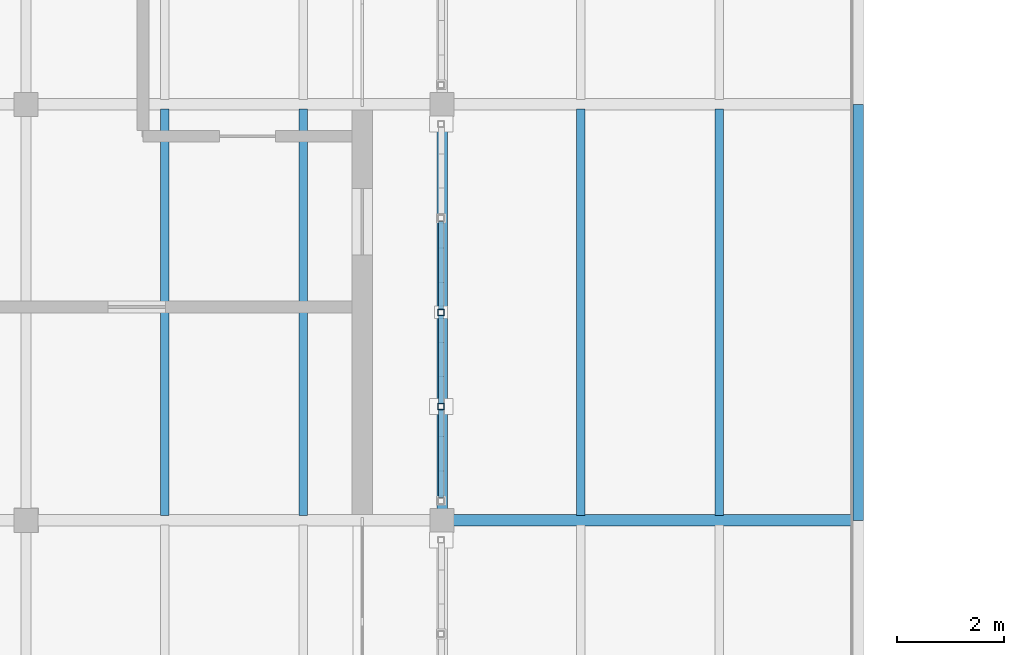
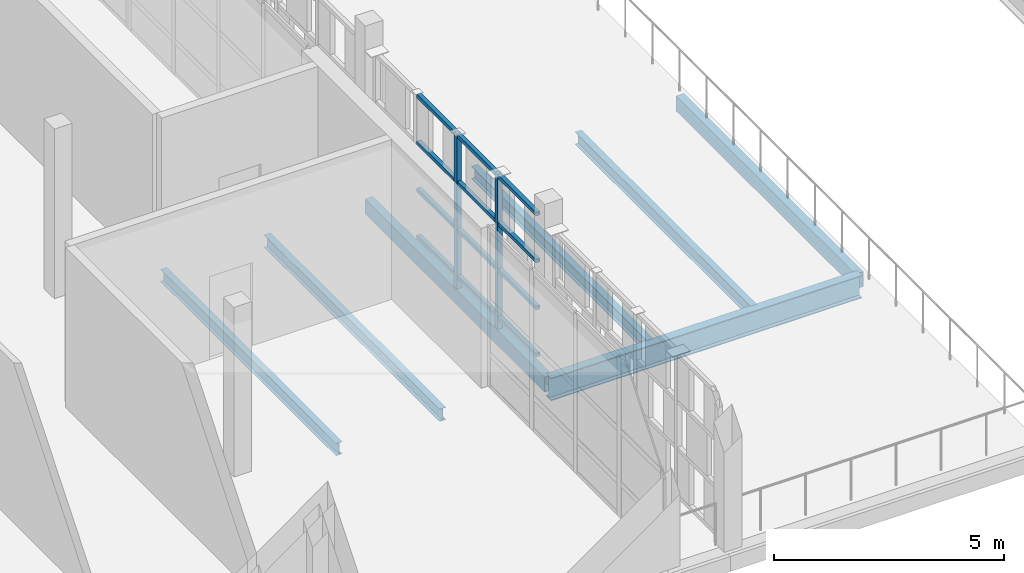
# One storey, part 31 of 119: 14 members, 7 beams.
"""IFC4 building model written with IfcOpenShell, lengths in metres."""

from ifc_helpers import new_model, si_unit, direction, frame, origin, origin_2d, place, context, subcontext, project, spatial, hollow_rectangle, i_section, extrude, material, material_profile, profile_set, type_object, element, save


model = new_model("IFC4")

# Units and contexts
model_context = context("Model", 3, precision=1e-05, world=origin(), true_north=direction((0.0, 1.0)))
body_context = subcontext(model_context, "Body", "Model", "MODEL_VIEW")
ifc_project = project(units=[si_unit("LENGTHUNIT", "METRE"), si_unit("AREAUNIT", "SQUARE_METRE"), si_unit("VOLUMEUNIT", "CUBIC_METRE"), si_unit("PLANEANGLEUNIT", "RADIAN"), si_unit("MASSUNIT", "GRAM", prefix="KILO")], contexts=[model_context])

# Site, building, storey
site_placement = place(None, origin())
site = spatial("IfcSite", under=ifc_project, at=site_placement, CompositionType="ELEMENT")
building_placement = place(site_placement, origin())
building = spatial("IfcBuilding", under=site, at=building_placement, Name="Celorna Specialist Clinic", CompositionType="ELEMENT")
storey_placement = place(building_placement, frame((0.0, 0.0, 9.60009765625)))
storey = spatial("IfcBuildingStorey", under=building, at=storey_placement, Name="L02", CompositionType="ELEMENT", Elevation=9.60009765625)

# Beams
ifc_material = material(Name="Steel S355", Category="steel")
ifc_material_profile_1 = material_profile(ifc_material, i_section(OverallWidth=0.219970703125, OverallDepth=0.60009765625, WebThickness=0.011962890625, FlangeThickness=0.01904296875, at=origin_2d()), Name="IPE 600")
ifc_profile_set_1 = profile_set([ifc_material_profile_1], Name="Steel S355")
beam_type_1 = type_object("IfcBeamType", Name="BM-06", PredefinedType="BEAM", material=ifc_profile_set_1)
beam_placement = place(storey_placement, frame((39.0, 42.89990234375, -0.56005859375), z_axis=(1.0, 0.0, 0.0), x_axis=(0.0, 1.0, 0.0)))
element("IfcBeam", 1, at=beam_placement, inside=storey, type_object=beam_type_1, Name="Primary girder BM-06 #2218", PredefinedType="BEAM", context=body_context, shape_type="SweptSolid", body=[
    extrude(i_section(OverallWidth=0.219970703125, OverallDepth=0.60009765625, WebThickness=0.011962890625, FlangeThickness=0.01904296875, at=origin_2d()), origin(), (0.0, 0.0, 1.0), 7.800048828125),
])
ifc_material_profile_2 = material_profile(ifc_material, i_section(OverallWidth=0.159912109375, OverallDepth=0.330078125, WebThickness=0.007568359375, FlangeThickness=0.011474609375, at=origin_2d()), Name="IPE 330")
ifc_profile_set_2 = profile_set([ifc_material_profile_2], Name="Steel S355")
beam_type_2 = type_object("IfcBeamType", Name="BM-12", PredefinedType="JOIST", material=ifc_profile_set_2)
for number, where, z_axis, x_axis, name in (
    (2, (33.800048828125, 42.988037109375, -0.425048828125), (0.0, 1.0, 0.0), (-1.0, 0.0, 0.0), "Secondary floor joist BM-12 #528"),
    (3, (36.39990234375, 42.988037109375, -0.425048828125), (0.0, 1.0, 0.0), (-1.0, 0.0, 0.0), "Secondary floor joist BM-12 #529"),
    (4, (41.60009765625, 42.988037109375, -0.425048828125), (0.0, 1.0, 0.0), (-1.0, 0.0, 0.0), "Secondary floor joist BM-12 #2228"),
    (5, (44.199951171875, 42.988037109375, -0.425048828125), (0.0, 1.0, 0.0), (-1.0, 0.0, 0.0), "Secondary floor joist BM-12 #2229"),
):
    element("IfcBeam", number, at=place(storey_placement, frame(where, z_axis=z_axis, x_axis=x_axis)), inside=storey, type_object=beam_type_2, Name=name, PredefinedType="JOIST", context=body_context, shape_type="SweptSolid", body=[
        extrude(i_section(OverallWidth=0.159912109375, OverallDepth=0.330078125, WebThickness=0.007568359375, FlangeThickness=0.011474609375, at=origin_2d()), origin(), (0.0, 0.0, 1.0), 7.6240234375),
    ])
ifc_material_profile_3 = material_profile(ifc_material, hollow_rectangle(XDim=0.199951171875, YDim=0.39990234375, WallThickness=0.011962890625, at=origin_2d()), Name="RHS 200x400x12")
ifc_profile_set_3 = profile_set([ifc_material_profile_3], Name="Steel S355")
beam_type_3 = type_object("IfcBeamType", Name="BM-15", PredefinedType="SPANDREL", material=ifc_profile_set_3)
for number, where, z_axis, x_axis, name in (
    (6, (39.0, 42.89990234375, -0.460205078125), (0.0, 1.0, 0.0), (-1.0, 0.0, 0.0), "Spandrel beam BM-15 #499"),
    (7, (46.800048828125, 42.89990234375, -0.460205078125), (0.0, 1.0, 0.0), (-1.0, 0.0, 0.0), "Spandrel beam BM-15 #2223"),
):
    element("IfcBeam", number, at=place(storey_placement, frame(where, z_axis=z_axis, x_axis=x_axis)), inside=storey, type_object=beam_type_3, Name=name, PredefinedType="SPANDREL", context=body_context, shape_type="SweptSolid", body=[
        extrude(hollow_rectangle(XDim=0.199951171875, YDim=0.39990234375, WallThickness=0.011962890625, at=origin_2d()), origin(), (0.0, 0.0, 1.0), 7.800048828125),
    ])

# Members
ifc_material_profile_4 = material_profile(ifc_material, hollow_rectangle(XDim=0.1201171875, YDim=0.1201171875, WallThickness=0.008056640625, at=origin_2d()), Name="SHS 120x120x8")
ifc_profile_set_4 = profile_set([ifc_material_profile_4], Name="Steel S355")
member_type_1 = type_object("IfcMemberType", Name="MB-11", PredefinedType="STUD", material=ifc_profile_set_4)
for number, where, z_axis, x_axis, name in (
    (8, (38.97998046875, 45.032470703125, -0.360107421875), (0.0, 0.0, 1.0), (1.0, 0.0, 0.0), "Perforated screen steel post #1561"),
    (9, (38.97998046875, 46.800048828125, -0.360107421875), (0.0, 0.0, 1.0), (1.0, 0.0, 0.0), "Perforated screen steel post #1562"),
):
    element("IfcMember", number, at=place(storey_placement, frame(where, z_axis=z_axis, x_axis=x_axis)), inside=storey, type_object=member_type_1, Name=name, PredefinedType="STUD", context=body_context, shape_type="SweptSolid", body=[
        extrude(hollow_rectangle(XDim=0.1201171875, YDim=0.1201171875, WallThickness=0.008056640625, at=origin_2d()), origin(), (0.0, 0.0, 1.0), 4.199951171875),
    ])
ifc_material_profile_5 = material_profile(ifc_material, hollow_rectangle(XDim=0.10009765625, YDim=0.10009765625, WallThickness=0.006103515625, at=origin_2d()), Name="SHS 100x100x6")
ifc_profile_set_5 = profile_set([ifc_material_profile_5], Name="Steel S355")
member_type_2 = type_object("IfcMemberType", Name="MB-12", PredefinedType="STUD", material=ifc_profile_set_5)
for number, where, z_axis, x_axis, name in (
    (10, (38.97998046875, 43.324951171875, 0.0498046875), (0.0, 1.0, 0.0), (-1.0, 0.0, 0.0), "Perforated screen rail #1565"),
    (11, (38.97998046875, 43.324951171875, 1.296630859375), (0.0, 1.0, 0.0), (-1.0, 0.0, 0.0), "Perforated screen rail #1566"),
    (12, (38.97998046875, 43.324951171875, 2.543212890625), (0.0, 1.0, 0.0), (-1.0, 0.0, 0.0), "Perforated screen rail #1567"),
    (13, (38.97998046875, 43.324951171875, 3.789794921875), (0.0, 1.0, 0.0), (-1.0, 0.0, 0.0), "Perforated screen rail #1568"),
    (14, (38.97998046875, 45.092529296875, 0.0498046875), (0.0, 1.0, 0.0), (-1.0, 0.0, 0.0), "Perforated screen rail #1569"),
    (15, (38.97998046875, 45.092529296875, 1.296630859375), (0.0, 1.0, 0.0), (-1.0, 0.0, 0.0), "Perforated screen rail #1570"),
    (16, (38.97998046875, 45.092529296875, 2.543212890625), (0.0, 1.0, 0.0), (-1.0, 0.0, 0.0), "Perforated screen rail #1571"),
    (17, (38.97998046875, 45.092529296875, 3.789794921875), (0.0, 1.0, 0.0), (-1.0, 0.0, 0.0), "Perforated screen rail #1572"),
    (18, (38.97998046875, 46.860107421875, 0.0498046875), (0.0, 1.0, 0.0), (-1.0, 0.0, 0.0), "Perforated screen rail #1573"),
    (19, (38.97998046875, 46.860107421875, 1.296630859375), (0.0, 1.0, 0.0), (-1.0, 0.0, 0.0), "Perforated screen rail #1574"),
    (20, (38.97998046875, 46.860107421875, 2.543212890625), (0.0, 1.0, 0.0), (-1.0, 0.0, 0.0), "Perforated screen rail #1575"),
    (21, (38.97998046875, 46.860107421875, 3.789794921875), (0.0, 1.0, 0.0), (-1.0, 0.0, 0.0), "Perforated screen rail #1576"),
):
    element("IfcMember", number, at=place(storey_placement, frame(where, z_axis=z_axis, x_axis=x_axis)), inside=storey, type_object=member_type_2, Name=name, PredefinedType="STUD", context=body_context, shape_type="SweptSolid", body=[
        extrude(hollow_rectangle(XDim=0.10009765625, YDim=0.10009765625, WallThickness=0.006103515625, at=origin_2d()), origin(), (0.0, 0.0, 1.0), 1.6474609375),
    ])

save(model, "model.ifc")
